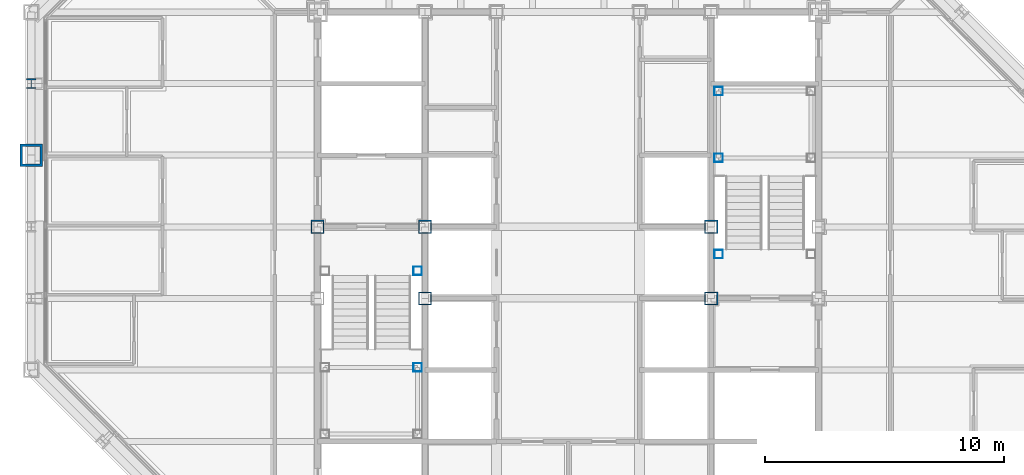
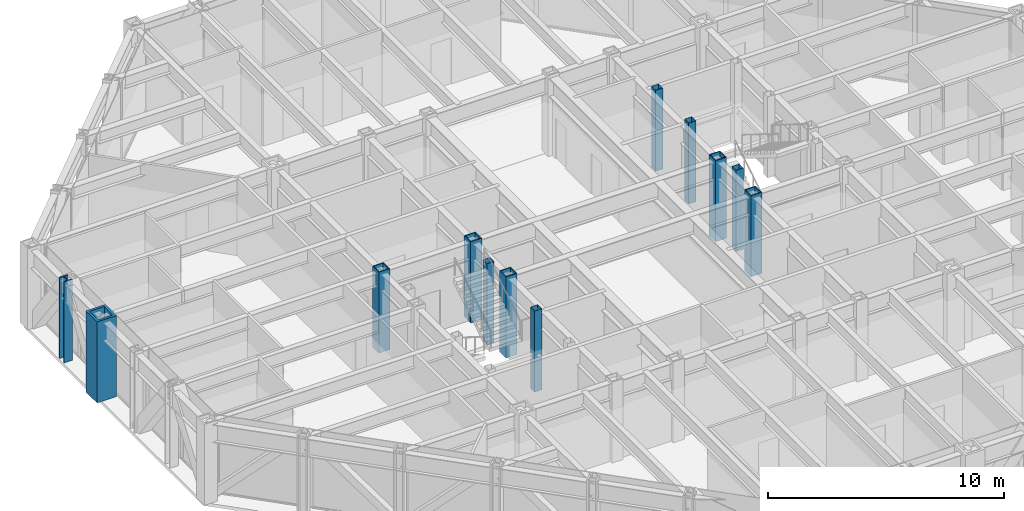
# One storey, part 2 of 16: 12 columns.
"""IFC4 building model written with IfcOpenShell, lengths in metres."""

import ifcopenshell
import ifcopenshell.guid

model = None  # the IFC model being written
_history = None  # IfcOwnerHistory: only IFC2X3 demands one
_inside = {}  # id of a spatial element -> (the spatial element, [elements in it])
_under = {}  # id of a project, library or spatial element -> (it, [spatial elements below it])
_declared = {}  # id of a project -> (the project, [libraries it declares])
_typed = {}  # id of a type object -> (the type object, [elements of that type])
_made_of = {}  # id of a material, layer set ... -> (it, [elements and type objects made of it])


def new_model(schema):
    """Start an empty IFC model of exactly this schema.

    Asked for "IFC4X3", IfcOpenShell would pick the latest addendum, in which some entities
    have other attributes; the version numbers below select the first issue.
    IFC2X3 requires an IfcOwnerHistory on every rooted entity: one is made here for all.
    """
    global model, _history
    if schema == "IFC4X3":
        model = ifcopenshell.file(schema_version=(4, 3, 0, 0))
    else:
        model = ifcopenshell.file(schema=schema)
    _inside.clear()
    _under.clear()
    _declared.clear()
    _typed.clear()
    _made_of.clear()
    _history = None
    if model.schema == "IFC2X3":
        org = make("IfcOrganization", Name="unknown")
        user = make(
            "IfcPersonAndOrganization",
            ThePerson=make("IfcPerson", FamilyName="unknown"),
            TheOrganization=org,
        )
        app = make(
            "IfcApplication",
            ApplicationDeveloper=org,
            Version="unknown",
            ApplicationFullName="unknown",
            ApplicationIdentifier="unknown",
        )
        _history = make(
            "IfcOwnerHistory",
            OwningUser=user,
            OwningApplication=app,
            ChangeAction="ADDED",
            CreationDate=0,
        )
    return model


def make(cls, **values):
    """One entity of the class cls with the attributes given. An attribute that is None is left unset."""
    return model.create_entity(
        cls, **{name: value for name, value in values.items() if value is not None}
    )


def rooted(cls, **values):
    """An entity with a GlobalId (a new one), such as an element, a storey or a relation."""
    return make(cls, GlobalId=ifcopenshell.guid.new(), OwnerHistory=_history, **values)


def si_unit(unit_type, name, prefix=None):
    """IfcSIUnit, for example si_unit("LENGTHUNIT", "METRE", prefix="MILLI")."""
    return make("IfcSIUnit", UnitType=unit_type, Prefix=prefix, Name=name)


def assignment(units):
    """IfcUnitAssignment: the units of a project."""
    return None if units is None else make("IfcUnitAssignment", Units=units)


def point(xyz):
    """IfcCartesianPoint."""
    return None if xyz is None else make("IfcCartesianPoint", Coordinates=xyz)


def direction(xyz):
    """IfcDirection."""
    return None if xyz is None else make("IfcDirection", DirectionRatios=xyz)


def frame(location, z_axis=None, x_axis=None):
    """IfcAxis2Placement3D, a coordinate frame: its origin and axes. An axis left out is left unset."""
    return make(
        "IfcAxis2Placement3D",
        Location=point(location),
        Axis=direction(z_axis),
        RefDirection=direction(x_axis),
    )


def frame_2d(location, x_axis=None):
    """IfcAxis2Placement2D, a coordinate frame in the plane: its origin and x axis."""
    return make(
        "IfcAxis2Placement2D", Location=point(location), RefDirection=direction(x_axis)
    )


def origin():
    """The frame at (0, 0, 0) with its axes left unset."""
    return frame((0.0, 0.0, 0.0))


def origin_2d():
    """The frame at (0, 0) in the plane with its x axis left unset."""
    return frame_2d((0.0, 0.0))


def place(relative_to, where):
    """IfcLocalPlacement: puts the frame where relative to a parent placement (None: the world)."""
    return make(
        "IfcLocalPlacement", PlacementRelTo=relative_to, RelativePlacement=where
    )


def context(
    kind, dimensions, precision=None, world=None, true_north=None, identifier=None
):
    """IfcGeometricRepresentationContext, for example the 3D "Model" context."""
    return make(
        "IfcGeometricRepresentationContext",
        ContextIdentifier=identifier,
        ContextType=kind,
        CoordinateSpaceDimension=dimensions,
        Precision=precision,
        WorldCoordinateSystem=world,
        TrueNorth=true_north,
    )


def subcontext(parent, identifier, kind, view, scale=None):
    """IfcGeometricRepresentationSubContext, for example "Body" below "Model"."""
    return make(
        "IfcGeometricRepresentationSubContext",
        ContextIdentifier=identifier,
        ContextType=kind,
        ParentContext=parent,
        TargetScale=scale,
        TargetView=view,
    )


def project(units=None, contexts=None):
    """IfcProject with its units and contexts."""
    return rooted(
        "IfcProject",
        Name="project",
        RepresentationContexts=contexts,
        UnitsInContext=assignment(units),
    )


def spatial(cls, under=None, at=None, **own):
    """A site, building, storey or space (cls), placed at a placement, below another one or the project."""
    s = rooted(cls, ObjectPlacement=at, **own)
    if under is not None:
        _under.setdefault(under.id(), (under, []))[1].append(s)
    return s


def profile(cls, at=None, kind="AREA", **sizes):
    """A parametric profile (cls). Its sizes go by their IFC names, for example OverallWidth=200.0."""
    return make(cls, ProfileType=kind, Position=at, **sizes)


def hollow_rectangle(**sizes):
    """IfcRectangleHollowProfileDef."""
    return profile("IfcRectangleHollowProfileDef", **sizes)


def i_section(**sizes):
    """IfcIShapeProfileDef."""
    return profile("IfcIShapeProfileDef", **sizes)


def extrude(swept, where, along, depth):
    """IfcExtrudedAreaSolid: the profile swept, set in the frame where, extruded along a direction by depth."""
    return make(
        "IfcExtrudedAreaSolid",
        SweptArea=swept,
        Position=where,
        ExtrudedDirection=direction(along),
        Depth=depth,
    )


def shape(context_of_items, identifier, shape_type, items):
    """IfcShapeRepresentation: the items that make up one representation, for example the "Body"."""
    return make(
        "IfcShapeRepresentation",
        ContextOfItems=context_of_items,
        RepresentationIdentifier=identifier,
        RepresentationType=shape_type,
        Items=items,
    )


def material(Name=None, Category=None):
    """IfcMaterial."""
    return make("IfcMaterial", Name=Name, Category=Category)


def material_profile(
    of_material, cross_section, Name=None, Category=None, Priority=None
):
    """IfcMaterialProfile: a cross section and its material."""
    return make(
        "IfcMaterialProfile",
        Name=Name,
        Material=of_material,
        Profile=cross_section,
        Priority=Priority,
        Category=Category,
    )


def profile_set(profiles, Name=None, composite=None):
    """IfcMaterialProfileSet."""
    return make(
        "IfcMaterialProfileSet",
        Name=Name,
        MaterialProfiles=profiles,
        CompositeProfile=composite,
    )


def made_of(thing, what):
    """Note that an element or type object is made of a material, layer set ...; save() writes the relation."""
    if what is not None:
        _made_of.setdefault(what.id(), (what, []))[1].append(thing)
    return thing


def type_object(cls, material=None, **own):
    """A type object (cls), such as IfcWallType, which elements share."""
    return made_of(rooted(cls, **own), material)


def element(
    cls,
    number,
    at=None,
    inside=None,
    cuts=None,
    type_object=None,
    material=None,
    context=None,
    identifier="Body",
    shape_type=None,
    held_by="IfcProductDefinitionShape",
    body=None,
    shapes=None,
    **own,
):
    """One element of the class cls, such as IfcWall. Its Tag is "e" and its number.

    at: its placement. inside: the storey or other place that contains it. cuts: it is an
    opening in that element (IfcRelVoidsElement). A single representation is given by context,
    identifier, shape_type and body (its items); several are given by shapes. held_by: the class
    of the entity that holds the representations. save() writes the other relations.
    """
    e = rooted(cls, Tag="e%d" % number, ObjectPlacement=at, **own)
    if body is not None:
        shapes = [shape(context, identifier, shape_type, body)]
    if shapes is not None:
        e.Representation = make(held_by, Representations=shapes)
    if inside is not None:
        _inside.setdefault(inside.id(), (inside, []))[1].append(e)
    if cuts is not None:
        rooted(
            "IfcRelVoidsElement", RelatingBuildingElement=cuts, RelatedOpeningElement=e
        )
    if type_object is not None:
        _typed.setdefault(type_object.id(), (type_object, []))[1].append(e)
    return made_of(e, material)


def aggregate(whole, parts):
    """IfcRelAggregates: a whole, such as a stair, and the parts it consists of."""
    return rooted("IfcRelAggregates", RelatingObject=whole, RelatedObjects=parts)


def save(model, path):
    """Write the relations noted so far, then the file.

    IfcRelAggregates (storeys below a building ...), IfcRelContainedInSpatialStructure (elements
    in a storey), IfcRelDefinesByType, IfcRelAssociatesMaterial and IfcRelDeclares: one each for
    every whole, place, type object, material and project.
    """
    for whole, parts in _under.values():
        aggregate(whole, parts)
    for where, things in _inside.values():
        rooted(
            "IfcRelContainedInSpatialStructure",
            RelatedElements=things,
            RelatingStructure=where,
        )
    for kind, things in _typed.values():
        rooted("IfcRelDefinesByType", RelatedObjects=things, RelatingType=kind)
    for what, things in _made_of.values():
        rooted("IfcRelAssociatesMaterial", RelatedObjects=things, RelatingMaterial=what)
    for by, libraries in _declared.values():
        rooted("IfcRelDeclares", RelatingContext=by, RelatedDefinitions=libraries)
    model.write(path)


model = new_model("IFC4")

# Units and contexts
model_context = context("Model", 3, precision=1e-05, world=origin(), true_north=direction((0.0, 1.0)))
body_context = subcontext(model_context, "Body", "Model", "MODEL_VIEW")
ifc_project = project(units=[si_unit("LENGTHUNIT", "METRE"), si_unit("AREAUNIT", "SQUARE_METRE"), si_unit("VOLUMEUNIT", "CUBIC_METRE"), si_unit("PLANEANGLEUNIT", "RADIAN"), si_unit("MASSUNIT", "GRAM", prefix="KILO")], contexts=[model_context])

# Site, building, storey
site_placement = place(None, origin())
site = spatial("IfcSite", under=ifc_project, at=site_placement, CompositionType="ELEMENT")
building_placement = place(site_placement, origin())
building = spatial("IfcBuilding", under=site, at=building_placement, Name="Chuquiago Exchange Tower", CompositionType="ELEMENT")
storey_placement = place(building_placement, frame((0.0, 0.0, 226.5)))
storey = spatial("IfcBuildingStorey", under=building, at=storey_placement, Name="L50", CompositionType="ELEMENT", Elevation=226.5)

# Columns
ifc_material_1 = material(Name="Steel ASTM A992", Category="steel")
ifc_material_profile_1 = material_profile(ifc_material_1, i_section(OverallWidth=0.408935546875, OverallDepth=0.424072265625, WebThickness=0.03271484375, FlangeThickness=0.052490234375, at=origin_2d()), Name="W14X283")
ifc_profile_set_1 = profile_set([ifc_material_profile_1], Name="Steel ASTM A992")
column_type_1 = type_object("IfcColumnType", Name="C8 W14X283", PredefinedType="COLUMN", material=ifc_profile_set_1)
column_1_placement = place(storey_placement, frame((0.0, 30.0, 0.0), z_axis=(0.0, 0.0, 1.0), x_axis=(-1.0, 0.0, 0.0)))
element("IfcColumn", 1, at=column_1_placement, inside=storey, type_object=column_type_1, Name="COL-L50-0_30", PredefinedType="COLUMN", context=body_context, shape_type="SweptSolid", body=[
    extrude(i_section(OverallWidth=0.408935546875, OverallDepth=0.424072265625, WebThickness=0.03271484375, FlangeThickness=0.052490234375, at=origin_2d()), origin(), (0.0, 0.0, 1.0), 4.199951171875),
])
ifc_material_2 = material(Name="Steel ASTM A572 Grade 50", Category="steel")
ifc_material_profile_2 = material_profile(ifc_material_2, hollow_rectangle(XDim=0.550048828125, YDim=0.550048828125, WallThickness=0.044921875, at=origin_2d()), Name="BOX550X550X45")
ifc_profile_set_2 = profile_set([ifc_material_profile_2], Name="Steel ASTM A572 Grade 50")
column_type_2 = type_object("IfcColumnType", Name="CC8 BOX550X550X45", PredefinedType="COLUMN", material=ifc_profile_set_2)
for number, where, z_axis, x_axis, name in (
    (2, (12.0, 24.0, 0.0), (0.0, 0.0, 1.0), (1.0, 0.0, 0.0), "CCOL-L50-12_24"),
    (3, (16.5, 21.0, 0.0), (0.0, 0.0, 1.0), (1.0, 0.0, 0.0), "CCOL-L50-16.5_21"),
    (4, (16.5, 24.0, 0.0), (0.0, 0.0, 1.0), (1.0, 0.0, 0.0), "CCOL-L50-16.5_24"),
    (5, (28.5, 21.0, 0.0), (0.0, 0.0, 1.0), (1.0, 0.0, 0.0), "CCOL-L50-28.5_21"),
    (6, (28.5, 24.0, 0.0), (0.0, 0.0, 1.0), (1.0, 0.0, 0.0), "CCOL-L50-28.5_24"),
):
    element("IfcColumn", number, at=place(storey_placement, frame(where, z_axis=z_axis, x_axis=x_axis)), inside=storey, type_object=column_type_2, Name=name, PredefinedType="COLUMN", context=body_context, shape_type="SweptSolid", body=[
        extrude(hollow_rectangle(XDim=0.550048828125, YDim=0.550048828125, WallThickness=0.044921875, at=origin_2d()), origin(), (0.0, 0.0, 1.0), 4.199951171875),
    ])
ifc_material_3 = material(Name="Steel ASTM A572 Grade 42", Category="steel")
ifc_material_profile_3 = material_profile(ifc_material_3, hollow_rectangle(XDim=0.949951171875, YDim=0.949951171875, WallThickness=0.110107421875, at=origin_2d()), Name="BOX950X950X110")
ifc_profile_set_3 = profile_set([ifc_material_profile_3], Name="Steel ASTM A572 Grade 42")
column_type_3 = type_object("IfcColumnType", Name="CT1 BOX950X950X110", PredefinedType="COLUMN", material=ifc_profile_set_3)
column_2_placement = place(storey_placement, frame((0.0, 27.0, 0.0), z_axis=(0.0, 0.0, 1.0), x_axis=(-1.0, 0.0, 0.0)))
element("IfcColumn", 7, at=column_2_placement, inside=storey, type_object=column_type_3, Name="COL-L50-0_27", PredefinedType="COLUMN", context=body_context, shape_type="SweptSolid", body=[
    extrude(hollow_rectangle(XDim=0.949951171875, YDim=0.949951171875, WallThickness=0.110107421875, at=origin_2d()), origin(), (0.0, 0.0, 1.0), 4.199951171875),
])
ifc_material_4 = material(Name="Steel ASTM A500 Grade C", Category="steel")
ifc_material_profile_4 = material_profile(ifc_material_4, hollow_rectangle(XDim=0.355712890625, YDim=0.355712890625, WallThickness=0.0087890625, at=origin_2d()), Name="HSS14X14X3/8")
ifc_profile_set_4 = profile_set([ifc_material_profile_4], Name="Steel ASTM A500 Grade C")
column_type_4 = type_object("IfcColumnType", Name="PT1 HSS14X14X3/8", PredefinedType="COLUMN", material=ifc_profile_set_4)
for number, where, z_axis, x_axis, name in (
    (8, (16.18994140625, 18.110107421875, 0.0), (0.0, 0.0, 1.0), (1.0, 0.0, 0.0), "Stair ST1 L50 landing post"),
    (9, (16.18994140625, 22.14990234375, 0.0), (0.0, 0.0, 1.0), (1.0, 0.0, 0.0), "Stair ST1 L50 landing post"),
    (10, (28.81005859375, 29.68994140625, 0.0), (0.0, 0.0, 1.0), (1.0, 0.0, 0.0), "Stair ST2 L50 landing post"),
    (11, (28.81005859375, 26.889892578125, 0.0), (0.0, 0.0, 1.0), (1.0, 0.0, 0.0), "Stair ST2 L50 landing post"),
    (12, (28.81005859375, 22.85009765625, 0.0), (0.0, 0.0, 1.0), (1.0, 0.0, 0.0), "Stair ST2 L50 landing post"),
):
    element("IfcColumn", number, at=place(storey_placement, frame(where, z_axis=z_axis, x_axis=x_axis)), inside=storey, type_object=column_type_4, Name=name, PredefinedType="COLUMN", context=body_context, shape_type="SweptSolid", body=[
        extrude(hollow_rectangle(XDim=0.355712890625, YDim=0.355712890625, WallThickness=0.0087890625, at=origin_2d()), origin(), (0.0, 0.0, 1.0), 4.199951171875),
    ])

save(model, "model.ifc")
